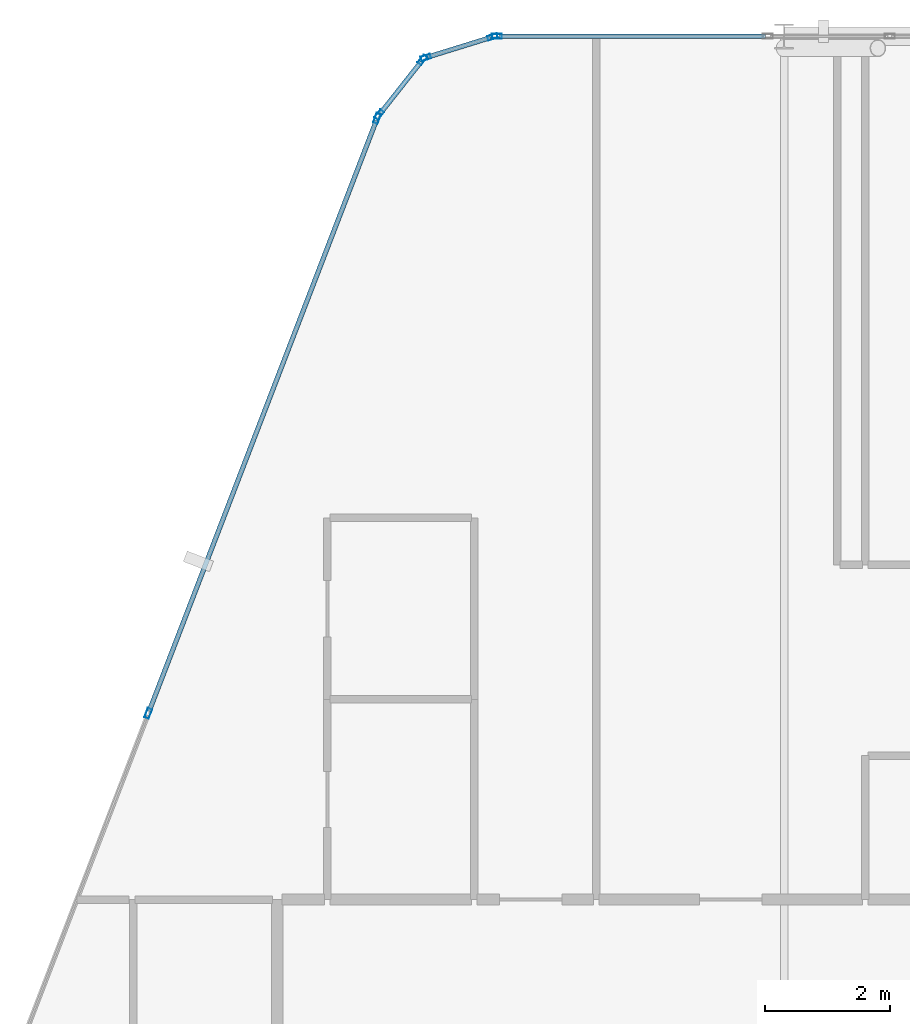
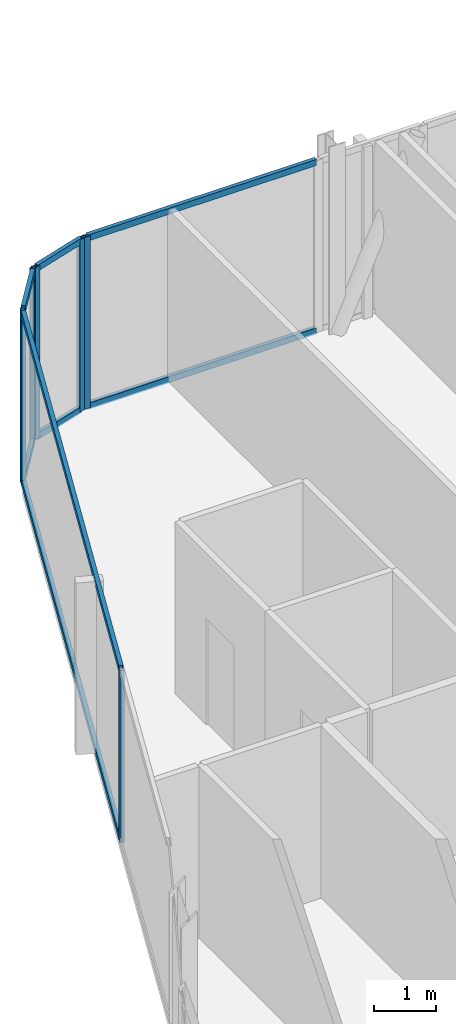
# One storey, part 15 of 28: 15 members, 4 elements without a shape of their own.
"""IFC4 building model written with IfcOpenShell, lengths in metres."""

from ifc_helpers import new_model, si_unit, direction, frame, origin, origin_2d, place, context, subcontext, project, spatial, hollow_rectangle, extrude, material, layer, layer_set, material_profile, profile_set, type_object, element, aggregate, save


model = new_model("IFC4")

# Units and contexts
model_context = context("Model", 3, precision=1e-05, world=origin(), true_north=direction((0.0, 1.0)))
body_context = subcontext(model_context, "Body", "Model", "MODEL_VIEW")
ifc_project = project(units=[si_unit("LENGTHUNIT", "METRE"), si_unit("AREAUNIT", "SQUARE_METRE"), si_unit("VOLUMEUNIT", "CUBIC_METRE"), si_unit("PLANEANGLEUNIT", "RADIAN"), si_unit("MASSUNIT", "GRAM", prefix="KILO")], contexts=[model_context])

# Site, building, storey
site_placement = place(None, origin())
site = spatial("IfcSite", under=ifc_project, at=site_placement, CompositionType="ELEMENT")
building_placement = place(site_placement, origin())
building = spatial("IfcBuilding", under=site, at=building_placement, Name="Keshet Zoharim Tower", CompositionType="ELEMENT")
storey_placement = place(building_placement, frame((0.0, 0.0, 303.60009765625)))
storey = spatial("IfcBuildingStorey", under=building, at=storey_placement, Name="L76", CompositionType="ELEMENT", Elevation=303.60009765625)

# Curtain wall, members
ifc_material = material(Name="Aluminium 6063-T6", Category="aluminium")
ifc_layer = layer(ifc_material, 0.260009765625)
ifc_layer_set = layer_set([ifc_layer], Name="Aluminium 6063-T6")
curtain_wall_type = type_object("IfcCurtainWallType", Name="CW-SYS-06", PredefinedType="NOTDEFINED", material=ifc_layer_set)
curtain_wall_1_placement = place(storey_placement, origin())
curtain_wall_1 = element("IfcCurtainWall", 1, at=curtain_wall_1_placement, inside=storey, type_object=curtain_wall_type, Name="L76 Unitised Curtain Wall 03", PredefinedType="NOTDEFINED")
ifc_material_profile_1 = material_profile(ifc_material, hollow_rectangle(XDim=0.074951171875, YDim=0.159912109375, WallThickness=0.00390625, at=origin_2d()), Name="MUL-75x160")
ifc_profile_set_1 = profile_set([ifc_material_profile_1], Name="Aluminium 6063-T6")
member_type_1 = type_object("IfcMemberType", Name="CWM-M15", PredefinedType="MULLION", material=ifc_profile_set_1)
member_1_placement = place(storey_placement, frame((10.8369140625, 43.076416015625, 0.0), z_axis=(0.0, 0.0, 1.0), x_axis=(-0.933341404361, 0.358990003907, 0.0)))
member_1 = element("IfcMember", 2, at=member_1_placement, type_object=member_type_1, Name="CW-06 mullion 3", PredefinedType="MULLION", context=body_context, shape_type="SweptSolid", body=[
    extrude(hollow_rectangle(XDim=0.074951171875, YDim=0.159912109375, WallThickness=0.00390625, at=origin_2d()), origin(), (0.0, 0.0, 1.0), 3.389892578125),
])
member_2_placement = place(storey_placement, frame((14.494384765625, 52.58544921875, 0.0), z_axis=(0.0, 0.0, 1.0), x_axis=(-0.933341404361, 0.358990003907, 0.0)))
member_2 = element("IfcMember", 3, at=member_2_placement, type_object=member_type_1, Name="CW-06 mullion 4", PredefinedType="MULLION", context=body_context, shape_type="SweptSolid", body=[
    extrude(hollow_rectangle(XDim=0.074951171875, YDim=0.159912109375, WallThickness=0.00390625, at=origin_2d()), origin(), (0.0, 0.0, 1.0), 3.389892578125),
])

curtain_wall_2_placement = place(storey_placement, origin())
curtain_wall_2 = element("IfcCurtainWall", 4, at=curtain_wall_2_placement, inside=storey, type_object=curtain_wall_type, Name="L76 Unitised Curtain Wall 04", PredefinedType="NOTDEFINED")
member_3_placement = place(storey_placement, frame((14.528564453125, 52.6455078125, 0.0), z_axis=(0.0, 0.0, 1.0), x_axis=(-0.785292825205, 0.619124525989, 0.0)))
member_3 = element("IfcMember", 5, at=member_3_placement, type_object=member_type_1, Name="CW-06 mullion 1", PredefinedType="MULLION", context=body_context, shape_type="SweptSolid", body=[
    extrude(hollow_rectangle(XDim=0.074951171875, YDim=0.159912109375, WallThickness=0.00390625, at=origin_2d()), origin(), (0.0, 0.0, 1.0), 3.389892578125),
])
member_4_placement = place(storey_placement, frame((15.21923828125, 53.521484375, 0.0), z_axis=(0.0, 0.0, 1.0), x_axis=(-0.785292825205, 0.619124525989, 0.0)))
member_4 = element("IfcMember", 6, at=member_4_placement, type_object=member_type_1, Name="CW-06 mullion 2", PredefinedType="MULLION", context=body_context, shape_type="SweptSolid", body=[
    extrude(hollow_rectangle(XDim=0.074951171875, YDim=0.159912109375, WallThickness=0.00390625, at=origin_2d()), origin(), (0.0, 0.0, 1.0), 3.389892578125),
])

curtain_wall_3_placement = place(storey_placement, origin())
curtain_wall_3 = element("IfcCurtainWall", 7, at=curtain_wall_3_placement, inside=storey, type_object=curtain_wall_type, Name="L76 Unitised Curtain Wall 05", PredefinedType="NOTDEFINED")
member_5_placement = place(storey_placement, frame((15.2744140625, 53.559326171875, 0.0), z_axis=(0.0, 0.0, 1.0), x_axis=(-0.295921857984, 0.955212151288, 0.0)))
member_5 = element("IfcMember", 8, at=member_5_placement, type_object=member_type_1, Name="CW-06 mullion 1", PredefinedType="MULLION", context=body_context, shape_type="SweptSolid", body=[
    extrude(hollow_rectangle(XDim=0.074951171875, YDim=0.159912109375, WallThickness=0.00390625, at=origin_2d()), origin(), (0.0, 0.0, 1.0), 3.389892578125),
])
member_6_placement = place(storey_placement, frame((16.340576171875, 53.8896484375, 0.0), z_axis=(0.0, 0.0, 1.0), x_axis=(-0.295921857984, 0.955212151288, 0.0)))
member_6 = element("IfcMember", 9, at=member_6_placement, type_object=member_type_1, Name="CW-06 mullion 2", PredefinedType="MULLION", context=body_context, shape_type="SweptSolid", body=[
    extrude(hollow_rectangle(XDim=0.074951171875, YDim=0.159912109375, WallThickness=0.00390625, at=origin_2d()), origin(), (0.0, 0.0, 1.0), 3.389892578125),
])

# Curtain wall, member
curtain_wall_4_placement = place(storey_placement, origin())
curtain_wall_4 = element("IfcCurtainWall", 10, at=curtain_wall_4_placement, inside=storey, type_object=curtain_wall_type, Name="L76 Unitised Curtain Wall 06", PredefinedType="NOTDEFINED")
member_7_placement = place(storey_placement, frame((16.408935546875, 53.89990234375, 0.0), z_axis=(0.0, 0.0, 1.0), x_axis=(0.0, 1.0, 0.0)))
member_7 = element("IfcMember", 11, at=member_7_placement, type_object=member_type_1, Name="CW-06 mullion 1", PredefinedType="MULLION", context=body_context, shape_type="SweptSolid", body=[
    extrude(hollow_rectangle(XDim=0.074951171875, YDim=0.159912109375, WallThickness=0.00390625, at=origin_2d()), origin(), (0.0, 0.0, 1.0), 3.389892578125),
])

# Member
ifc_material_profile_2 = material_profile(ifc_material, hollow_rectangle(XDim=0.074951171875, YDim=0.1201171875, WallThickness=0.00390625, at=origin_2d()), Name="TRN-75x120")
ifc_profile_set_2 = profile_set([ifc_material_profile_2], Name="Aluminium 6063-T6")
member_type_2 = type_object("IfcMemberType", Name="CWT-T12", PredefinedType="USERDEFINED", material=ifc_profile_set_2)
member_8_placement = place(storey_placement, frame((10.849609375, 43.10888671875, 0.034912109375), z_axis=(0.358985546764, 0.933343118694, 0.0), x_axis=(-0.933343118694, 0.358985546764, 0.0)))
member_8 = element("IfcMember", 12, at=member_8_placement, type_object=member_type_2, Name="CW-06 transom 3.1", ObjectType="TRANSOM", PredefinedType="USERDEFINED", context=body_context, shape_type="SweptSolid", body=[
    extrude(hollow_rectangle(XDim=0.074951171875, YDim=0.1201171875, WallThickness=0.00390625, at=origin_2d()), origin(), (0.0, 0.0, 1.0), 10.118408203125),
])

member_9_placement = place(storey_placement, frame((10.849609375, 43.10888671875, 3.35498046875), z_axis=(0.358985546764, 0.933343118694, 0.0), x_axis=(-0.933343118694, 0.358985546764, 0.0)))
member_9 = element("IfcMember", 13, at=member_9_placement, type_object=member_type_2, Name="CW-06 transom 3.2", ObjectType="TRANSOM", PredefinedType="USERDEFINED", context=body_context, shape_type="SweptSolid", body=[
    extrude(hollow_rectangle(XDim=0.074951171875, YDim=0.1201171875, WallThickness=0.00390625, at=origin_2d()), origin(), (0.0, 0.0, 1.0), 10.118408203125),
])

aggregate(curtain_wall_1, [member_1, member_2, member_8, member_9])

member_10_placement = place(storey_placement, frame((14.55029296875, 52.6728515625, 0.034912109375), z_axis=(0.619099165969, 0.78531281837, 0.0), x_axis=(-0.78531281837, 0.619099165969, 0.0)))
member_10 = element("IfcMember", 14, at=member_10_placement, type_object=member_type_2, Name="CW-06 transom 1.1", ObjectType="TRANSOM", PredefinedType="USERDEFINED", context=body_context, shape_type="SweptSolid", body=[
    extrude(hollow_rectangle(XDim=0.074951171875, YDim=0.1201171875, WallThickness=0.00390625, at=origin_2d()), origin(), (0.0, 0.0, 1.0), 1.0458984375),
])

member_11_placement = place(storey_placement, frame((14.55029296875, 52.6728515625, 3.35498046875), z_axis=(0.619099165969, 0.78531281837, 0.0), x_axis=(-0.78531281837, 0.619099165969, 0.0)))
member_11 = element("IfcMember", 15, at=member_11_placement, type_object=member_type_2, Name="CW-06 transom 1.2", ObjectType="TRANSOM", PredefinedType="USERDEFINED", context=body_context, shape_type="SweptSolid", body=[
    extrude(hollow_rectangle(XDim=0.074951171875, YDim=0.1201171875, WallThickness=0.00390625, at=origin_2d()), origin(), (0.0, 0.0, 1.0), 1.0458984375),
])

aggregate(curtain_wall_2, [member_3, member_4, member_10, member_11])

member_12_placement = place(storey_placement, frame((15.307861328125, 53.56982421875, 0.034912109375), z_axis=(0.955212093062, 0.295922045933, 0.0), x_axis=(-0.295922045933, 0.955212093062, 0.0)))
member_12 = element("IfcMember", 16, at=member_12_placement, type_object=member_type_2, Name="CW-06 transom 1.1", ObjectType="TRANSOM", PredefinedType="USERDEFINED", context=body_context, shape_type="SweptSolid", body=[
    extrude(hollow_rectangle(XDim=0.074951171875, YDim=0.1201171875, WallThickness=0.00390625, at=origin_2d()), origin(), (0.0, 0.0, 1.0), 1.046142578125),
])

member_13_placement = place(storey_placement, frame((15.307861328125, 53.56982421875, 3.35498046875), z_axis=(0.955212093062, 0.295922045933, 0.0), x_axis=(-0.295922045933, 0.955212093062, 0.0)))
member_13 = element("IfcMember", 17, at=member_13_placement, type_object=member_type_2, Name="CW-06 transom 1.2", ObjectType="TRANSOM", PredefinedType="USERDEFINED", context=body_context, shape_type="SweptSolid", body=[
    extrude(hollow_rectangle(XDim=0.074951171875, YDim=0.1201171875, WallThickness=0.00390625, at=origin_2d()), origin(), (0.0, 0.0, 1.0), 1.046142578125),
])

aggregate(curtain_wall_3, [member_5, member_6, member_12, member_13])

member_14_placement = place(storey_placement, frame((16.444091796875, 53.89990234375, 0.034912109375), z_axis=(1.0, 0.0, 0.0), x_axis=(0.0, 1.0, 0.0)))
member_14 = element("IfcMember", 18, at=member_14_placement, type_object=member_type_2, Name="CW-06 transom 1.1", ObjectType="TRANSOM", PredefinedType="USERDEFINED", context=body_context, shape_type="SweptSolid", body=[
    extrude(hollow_rectangle(XDim=0.074951171875, YDim=0.1201171875, WallThickness=0.00390625, at=origin_2d()), origin(), (0.0, 0.0, 1.0), 4.260986328125),
])

member_15_placement = place(storey_placement, frame((16.444091796875, 53.89990234375, 3.35498046875), z_axis=(1.0, 0.0, 0.0), x_axis=(0.0, 1.0, 0.0)))
member_15 = element("IfcMember", 19, at=member_15_placement, type_object=member_type_2, Name="CW-06 transom 1.2", ObjectType="TRANSOM", PredefinedType="USERDEFINED", context=body_context, shape_type="SweptSolid", body=[
    extrude(hollow_rectangle(XDim=0.074951171875, YDim=0.1201171875, WallThickness=0.00390625, at=origin_2d()), origin(), (0.0, 0.0, 1.0), 4.260986328125),
])

aggregate(curtain_wall_4, [member_7, member_14, member_15])

save(model, "model.ifc")
